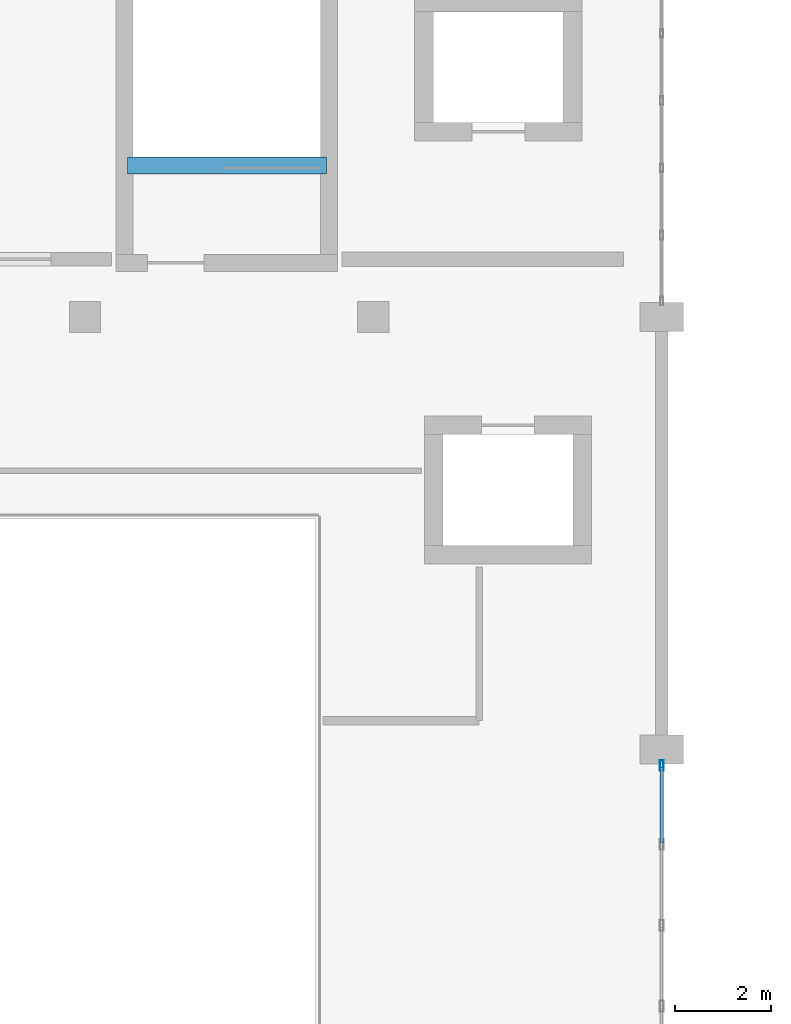
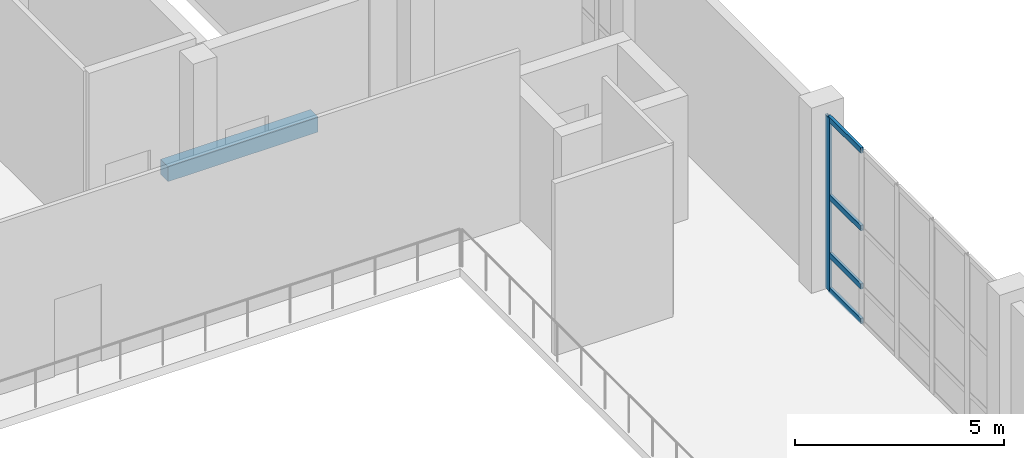
# One storey, part 12 of 41: 5 members, 1 beam, 1 element without a shape of its own.
"""IFC4 building model written with IfcOpenShell, lengths in metres."""

import ifcopenshell
import ifcopenshell.guid

model = None  # the IFC model being written
_history = None  # IfcOwnerHistory: only IFC2X3 demands one
_inside = {}  # id of a spatial element -> (the spatial element, [elements in it])
_under = {}  # id of a project, library or spatial element -> (it, [spatial elements below it])
_declared = {}  # id of a project -> (the project, [libraries it declares])
_typed = {}  # id of a type object -> (the type object, [elements of that type])
_made_of = {}  # id of a material, layer set ... -> (it, [elements and type objects made of it])


def new_model(schema):
    """Start an empty IFC model of exactly this schema.

    Asked for "IFC4X3", IfcOpenShell would pick the latest addendum, in which some entities
    have other attributes; the version numbers below select the first issue.
    IFC2X3 requires an IfcOwnerHistory on every rooted entity: one is made here for all.
    """
    global model, _history
    if schema == "IFC4X3":
        model = ifcopenshell.file(schema_version=(4, 3, 0, 0))
    else:
        model = ifcopenshell.file(schema=schema)
    _inside.clear()
    _under.clear()
    _declared.clear()
    _typed.clear()
    _made_of.clear()
    _history = None
    if model.schema == "IFC2X3":
        org = make("IfcOrganization", Name="unknown")
        user = make(
            "IfcPersonAndOrganization",
            ThePerson=make("IfcPerson", FamilyName="unknown"),
            TheOrganization=org,
        )
        app = make(
            "IfcApplication",
            ApplicationDeveloper=org,
            Version="unknown",
            ApplicationFullName="unknown",
            ApplicationIdentifier="unknown",
        )
        _history = make(
            "IfcOwnerHistory",
            OwningUser=user,
            OwningApplication=app,
            ChangeAction="ADDED",
            CreationDate=0,
        )
    return model


def make(cls, **values):
    """One entity of the class cls with the attributes given. An attribute that is None is left unset."""
    return model.create_entity(
        cls, **{name: value for name, value in values.items() if value is not None}
    )


def rooted(cls, **values):
    """An entity with a GlobalId (a new one), such as an element, a storey or a relation."""
    return make(cls, GlobalId=ifcopenshell.guid.new(), OwnerHistory=_history, **values)


def si_unit(unit_type, name, prefix=None):
    """IfcSIUnit, for example si_unit("LENGTHUNIT", "METRE", prefix="MILLI")."""
    return make("IfcSIUnit", UnitType=unit_type, Prefix=prefix, Name=name)


def assignment(units):
    """IfcUnitAssignment: the units of a project."""
    return None if units is None else make("IfcUnitAssignment", Units=units)


def point(xyz):
    """IfcCartesianPoint."""
    return None if xyz is None else make("IfcCartesianPoint", Coordinates=xyz)


def direction(xyz):
    """IfcDirection."""
    return None if xyz is None else make("IfcDirection", DirectionRatios=xyz)


def frame(location, z_axis=None, x_axis=None):
    """IfcAxis2Placement3D, a coordinate frame: its origin and axes. An axis left out is left unset."""
    return make(
        "IfcAxis2Placement3D",
        Location=point(location),
        Axis=direction(z_axis),
        RefDirection=direction(x_axis),
    )


def frame_2d(location, x_axis=None):
    """IfcAxis2Placement2D, a coordinate frame in the plane: its origin and x axis."""
    return make(
        "IfcAxis2Placement2D", Location=point(location), RefDirection=direction(x_axis)
    )


def origin():
    """The frame at (0, 0, 0) with its axes left unset."""
    return frame((0.0, 0.0, 0.0))


def origin_2d():
    """The frame at (0, 0) in the plane with its x axis left unset."""
    return frame_2d((0.0, 0.0))


def place(relative_to, where):
    """IfcLocalPlacement: puts the frame where relative to a parent placement (None: the world)."""
    return make(
        "IfcLocalPlacement", PlacementRelTo=relative_to, RelativePlacement=where
    )


def context(
    kind, dimensions, precision=None, world=None, true_north=None, identifier=None
):
    """IfcGeometricRepresentationContext, for example the 3D "Model" context."""
    return make(
        "IfcGeometricRepresentationContext",
        ContextIdentifier=identifier,
        ContextType=kind,
        CoordinateSpaceDimension=dimensions,
        Precision=precision,
        WorldCoordinateSystem=world,
        TrueNorth=true_north,
    )


def subcontext(parent, identifier, kind, view, scale=None):
    """IfcGeometricRepresentationSubContext, for example "Body" below "Model"."""
    return make(
        "IfcGeometricRepresentationSubContext",
        ContextIdentifier=identifier,
        ContextType=kind,
        ParentContext=parent,
        TargetScale=scale,
        TargetView=view,
    )


def project(units=None, contexts=None):
    """IfcProject with its units and contexts."""
    return rooted(
        "IfcProject",
        Name="project",
        RepresentationContexts=contexts,
        UnitsInContext=assignment(units),
    )


def spatial(cls, under=None, at=None, **own):
    """A site, building, storey or space (cls), placed at a placement, below another one or the project."""
    s = rooted(cls, ObjectPlacement=at, **own)
    if under is not None:
        _under.setdefault(under.id(), (under, []))[1].append(s)
    return s


def profile(cls, at=None, kind="AREA", **sizes):
    """A parametric profile (cls). Its sizes go by their IFC names, for example OverallWidth=200.0."""
    return make(cls, ProfileType=kind, Position=at, **sizes)


def rectangle(**sizes):
    """IfcRectangleProfileDef."""
    return profile("IfcRectangleProfileDef", **sizes)


def hollow_rectangle(**sizes):
    """IfcRectangleHollowProfileDef."""
    return profile("IfcRectangleHollowProfileDef", **sizes)


def extrude(swept, where, along, depth):
    """IfcExtrudedAreaSolid: the profile swept, set in the frame where, extruded along a direction by depth."""
    return make(
        "IfcExtrudedAreaSolid",
        SweptArea=swept,
        Position=where,
        ExtrudedDirection=direction(along),
        Depth=depth,
    )


def shape(context_of_items, identifier, shape_type, items):
    """IfcShapeRepresentation: the items that make up one representation, for example the "Body"."""
    return make(
        "IfcShapeRepresentation",
        ContextOfItems=context_of_items,
        RepresentationIdentifier=identifier,
        RepresentationType=shape_type,
        Items=items,
    )


def material(Name=None, Category=None):
    """IfcMaterial."""
    return make("IfcMaterial", Name=Name, Category=Category)


def layer(
    of_material, thickness, ventilated=None, Name=None, Category=None, Priority=None
):
    """IfcMaterialLayer: one layer of a wall or slab, of a material (None: an air gap)."""
    return make(
        "IfcMaterialLayer",
        Material=of_material,
        LayerThickness=thickness,
        IsVentilated=ventilated,
        Name=Name,
        Category=Category,
        Priority=Priority,
    )


def layer_set(layers, Name=None):
    """IfcMaterialLayerSet."""
    return make("IfcMaterialLayerSet", MaterialLayers=layers, LayerSetName=Name)


def material_profile(
    of_material, cross_section, Name=None, Category=None, Priority=None
):
    """IfcMaterialProfile: a cross section and its material."""
    return make(
        "IfcMaterialProfile",
        Name=Name,
        Material=of_material,
        Profile=cross_section,
        Priority=Priority,
        Category=Category,
    )


def profile_set(profiles, Name=None, composite=None):
    """IfcMaterialProfileSet."""
    return make(
        "IfcMaterialProfileSet",
        Name=Name,
        MaterialProfiles=profiles,
        CompositeProfile=composite,
    )


def made_of(thing, what):
    """Note that an element or type object is made of a material, layer set ...; save() writes the relation."""
    if what is not None:
        _made_of.setdefault(what.id(), (what, []))[1].append(thing)
    return thing


def type_object(cls, material=None, **own):
    """A type object (cls), such as IfcWallType, which elements share."""
    return made_of(rooted(cls, **own), material)


def element(
    cls,
    number,
    at=None,
    inside=None,
    cuts=None,
    type_object=None,
    material=None,
    context=None,
    identifier="Body",
    shape_type=None,
    held_by="IfcProductDefinitionShape",
    body=None,
    shapes=None,
    **own,
):
    """One element of the class cls, such as IfcWall. Its Tag is "e" and its number.

    at: its placement. inside: the storey or other place that contains it. cuts: it is an
    opening in that element (IfcRelVoidsElement). A single representation is given by context,
    identifier, shape_type and body (its items); several are given by shapes. held_by: the class
    of the entity that holds the representations. save() writes the other relations.
    """
    e = rooted(cls, Tag="e%d" % number, ObjectPlacement=at, **own)
    if body is not None:
        shapes = [shape(context, identifier, shape_type, body)]
    if shapes is not None:
        e.Representation = make(held_by, Representations=shapes)
    if inside is not None:
        _inside.setdefault(inside.id(), (inside, []))[1].append(e)
    if cuts is not None:
        rooted(
            "IfcRelVoidsElement", RelatingBuildingElement=cuts, RelatedOpeningElement=e
        )
    if type_object is not None:
        _typed.setdefault(type_object.id(), (type_object, []))[1].append(e)
    return made_of(e, material)


def aggregate(whole, parts):
    """IfcRelAggregates: a whole, such as a stair, and the parts it consists of."""
    return rooted("IfcRelAggregates", RelatingObject=whole, RelatedObjects=parts)


def save(model, path):
    """Write the relations noted so far, then the file.

    IfcRelAggregates (storeys below a building ...), IfcRelContainedInSpatialStructure (elements
    in a storey), IfcRelDefinesByType, IfcRelAssociatesMaterial and IfcRelDeclares: one each for
    every whole, place, type object, material and project.
    """
    for whole, parts in _under.values():
        aggregate(whole, parts)
    for where, things in _inside.values():
        rooted(
            "IfcRelContainedInSpatialStructure",
            RelatedElements=things,
            RelatingStructure=where,
        )
    for kind, things in _typed.values():
        rooted("IfcRelDefinesByType", RelatedObjects=things, RelatingType=kind)
    for what, things in _made_of.values():
        rooted("IfcRelAssociatesMaterial", RelatedObjects=things, RelatingMaterial=what)
    for by, libraries in _declared.values():
        rooted("IfcRelDeclares", RelatingContext=by, RelatedDefinitions=libraries)
    model.write(path)


model = new_model("IFC4")

# Units and contexts
model_context = context("Model", 3, precision=1e-05, world=origin(), true_north=direction((0.0, 1.0)))
body_context = subcontext(model_context, "Body", "Model", "MODEL_VIEW")
ifc_project = project(units=[si_unit("LENGTHUNIT", "METRE"), si_unit("AREAUNIT", "SQUARE_METRE"), si_unit("VOLUMEUNIT", "CUBIC_METRE"), si_unit("PLANEANGLEUNIT", "RADIAN"), si_unit("MASSUNIT", "GRAM", prefix="KILO")], contexts=[model_context])

# Site, building, storey
site_placement = place(None, origin())
site = spatial("IfcSite", under=ifc_project, at=site_placement, CompositionType="ELEMENT")
building_placement = place(site_placement, origin())
building = spatial("IfcBuilding", under=site, at=building_placement, Name="Vaelkrest Opera House", CompositionType="ELEMENT")
storey_placement = place(building_placement, frame((0.0, 0.0, 24.60009765625)))
storey = spatial("IfcBuildingStorey", under=building, at=storey_placement, Name="L05", CompositionType="ELEMENT", Elevation=24.60009765625)

# Curtain wall, members
ifc_material_1 = material(Name="Dark bronze anodized aluminium", Category="aluminium")
ifc_layer = layer(ifc_material_1, 0.199951171875)
ifc_layer_set = layer_set([ifc_layer], Name="Dark bronze anodized aluminium")
curtain_wall_type = type_object("IfcCurtainWallType", Name="CW03", PredefinedType="NOTDEFINED", material=ifc_layer_set)
curtain_wall_placement = place(storey_placement, origin())
curtain_wall = element("IfcCurtainWall", 1, at=curtain_wall_placement, inside=storey, type_object=curtain_wall_type, Name="Curtain wall CW-L05-080", PredefinedType="NOTDEFINED")
ifc_material_profile_1 = material_profile(ifc_material_1, hollow_rectangle(XDim=0.074951171875, YDim=0.219970703125, WallThickness=0.00439453125, at=origin_2d()), Name="CWM75X220")
ifc_profile_set_1 = profile_set([ifc_material_profile_1], Name="Dark bronze anodized aluminium")
member_type_1 = type_object("IfcMemberType", Name="CWM03", PredefinedType="MULLION", material=ifc_profile_set_1)
member_1_placement = place(storey_placement, frame((30.0, -38.135498046875, 0.0), z_axis=(0.0, 0.0, 1.0), x_axis=(1.0, 0.0, 0.0)))
member_1 = element("IfcMember", 2, at=member_1_placement, type_object=member_type_1, Name="CW03 mullion 1", PredefinedType="MULLION", context=body_context, shape_type="SweptSolid", body=[
    extrude(hollow_rectangle(XDim=0.074951171875, YDim=0.219970703125, WallThickness=0.00439453125, at=origin_2d()), origin(), (0.0, 0.0, 1.0), 5.0498046875),
])
ifc_material_profile_2 = material_profile(ifc_material_1, hollow_rectangle(XDim=0.074951171875, YDim=0.159912109375, WallThickness=0.00439453125, at=origin_2d()), Name="CWT75X160")
ifc_profile_set_2 = profile_set([ifc_material_profile_2], Name="Dark bronze anodized aluminium")
member_type_2 = type_object("IfcMemberType", Name="CWT03", PredefinedType="USERDEFINED", material=ifc_profile_set_2)
member_2_placement = place(storey_placement, frame((30.0, -38.173095703125, 0.037353515625), z_axis=(0.0, -1.0, 0.0), x_axis=(1.0, 0.0, 0.0)))
member_2 = element("IfcMember", 3, at=member_2_placement, type_object=member_type_2, Name="CW03 transom 1.1", ObjectType="TRANSOM", PredefinedType="USERDEFINED", context=body_context, shape_type="SweptSolid", body=[
    extrude(hollow_rectangle(XDim=0.074951171875, YDim=0.159912109375, WallThickness=0.00439453125, at=origin_2d()), origin(), (0.0, 0.0, 1.0), 1.568115234375),
])
member_3_placement = place(storey_placement, frame((30.0, -38.173095703125, 1.0498046875), z_axis=(0.0, -1.0, 0.0), x_axis=(1.0, 0.0, 0.0)))
member_3 = element("IfcMember", 4, at=member_3_placement, type_object=member_type_2, Name="CW03 transom 1.2", ObjectType="TRANSOM", PredefinedType="USERDEFINED", context=body_context, shape_type="SweptSolid", body=[
    extrude(hollow_rectangle(XDim=0.074951171875, YDim=0.159912109375, WallThickness=0.00439453125, at=origin_2d()), origin(), (0.0, 0.0, 1.0), 1.568115234375),
])
member_4_placement = place(storey_placement, frame((30.0, -38.173095703125, 2.75), z_axis=(0.0, -1.0, 0.0), x_axis=(1.0, 0.0, 0.0)))
member_4 = element("IfcMember", 5, at=member_4_placement, type_object=member_type_2, Name="CW03 transom 1.3", ObjectType="TRANSOM", PredefinedType="USERDEFINED", context=body_context, shape_type="SweptSolid", body=[
    extrude(hollow_rectangle(XDim=0.074951171875, YDim=0.159912109375, WallThickness=0.00439453125, at=origin_2d()), origin(), (0.0, 0.0, 1.0), 1.568115234375),
])
member_5_placement = place(storey_placement, frame((30.0, -38.173095703125, 5.012451171875), z_axis=(0.0, -1.0, 0.0), x_axis=(1.0, 0.0, 0.0)))
member_5 = element("IfcMember", 6, at=member_5_placement, type_object=member_type_2, Name="CW03 transom 1.4", ObjectType="TRANSOM", PredefinedType="USERDEFINED", context=body_context, shape_type="SweptSolid", body=[
    extrude(hollow_rectangle(XDim=0.074951171875, YDim=0.159912109375, WallThickness=0.00439453125, at=origin_2d()), origin(), (0.0, 0.0, 1.0), 1.568115234375),
])
aggregate(curtain_wall, [member_1, member_2, member_3, member_4, member_5])

# Beam
ifc_material_2 = material(Name="Concrete C50/60", Category="concrete")
ifc_material_profile_3 = material_profile(ifc_material_2, rectangle(XDim=0.35009765625, YDim=0.449951171875, at=origin_2d()), Name="RCB350X450")
ifc_profile_set_3 = profile_set([ifc_material_profile_3], Name="Concrete C50/60")
beam_type = type_object("IfcBeamType", Name="LN01", PredefinedType="LINTEL", material=ifc_profile_set_3)
beam_placement = place(storey_placement, frame((18.8798828125, -25.64990234375, -0.22509765625), z_axis=(1.0, 0.0, 0.0), x_axis=(0.0, 1.0, 0.0)))
element("IfcBeam", 7, at=beam_placement, inside=storey, type_object=beam_type, Name="Stairwell trimmer beam ST02 L05", PredefinedType="LINTEL", context=body_context, shape_type="SweptSolid", body=[
    extrude(rectangle(XDim=0.35009765625, YDim=0.449951171875, at=origin_2d()), origin(), (0.0, 0.0, 1.0), 4.14013671875),
])

save(model, "model.ifc")
